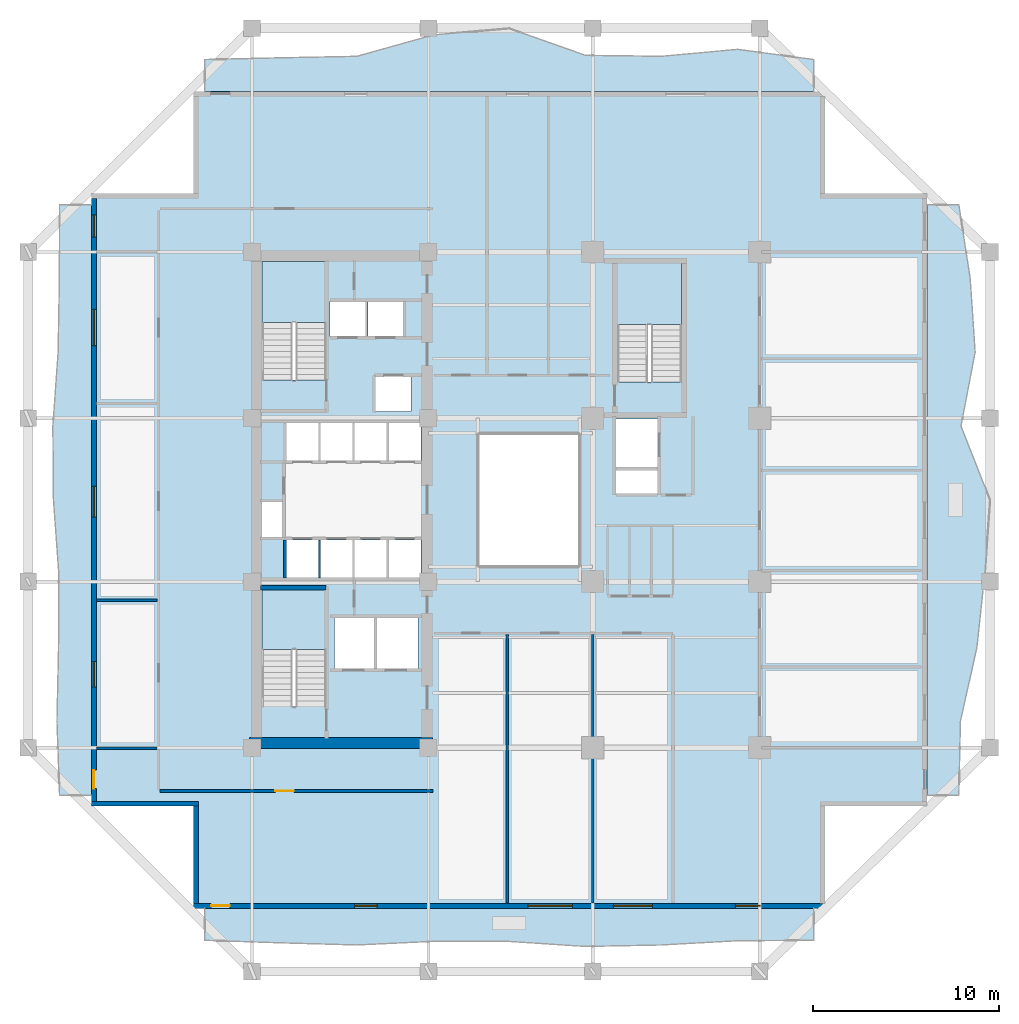
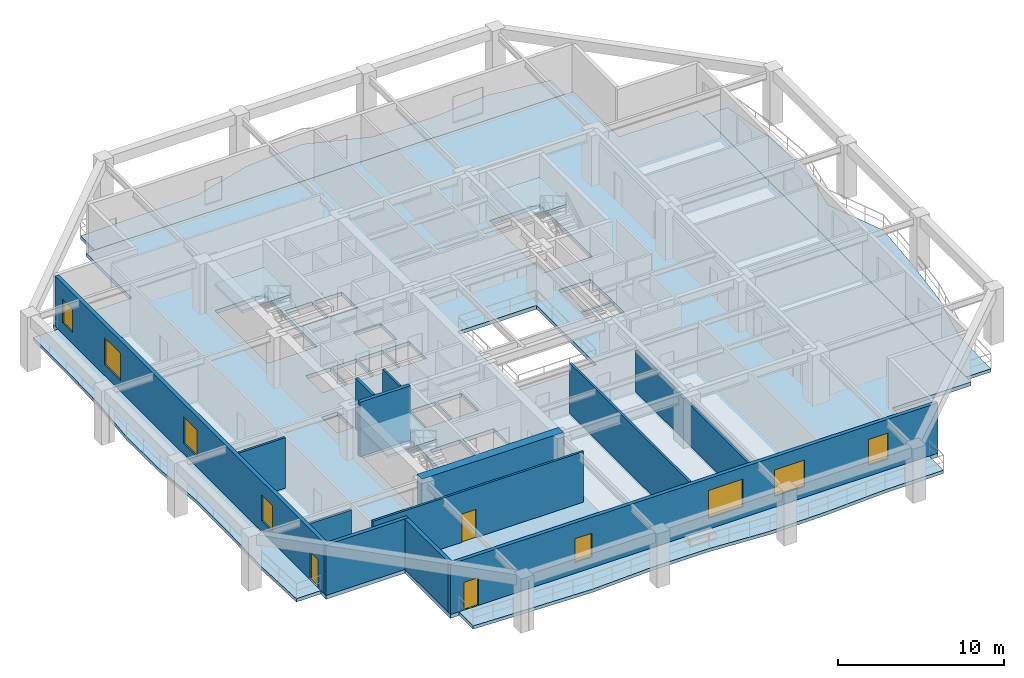
# One storey, part 2 of 13: 13 walls, 8 slabs, 8 windows, 3 doors, 11 openings, 3 elements without a shape of their own.
"""IFC4 building model written with IfcOpenShell, lengths in metres."""

import ifcopenshell
import ifcopenshell.guid

model = None  # the IFC model being written
_history = None  # IfcOwnerHistory: only IFC2X3 demands one
_inside = {}  # id of a spatial element -> (the spatial element, [elements in it])
_under = {}  # id of a project, library or spatial element -> (it, [spatial elements below it])
_declared = {}  # id of a project -> (the project, [libraries it declares])
_typed = {}  # id of a type object -> (the type object, [elements of that type])
_made_of = {}  # id of a material, layer set ... -> (it, [elements and type objects made of it])


def new_model(schema):
    """Start an empty IFC model of exactly this schema.

    Asked for "IFC4X3", IfcOpenShell would pick the latest addendum, in which some entities
    have other attributes; the version numbers below select the first issue.
    IFC2X3 requires an IfcOwnerHistory on every rooted entity: one is made here for all.
    """
    global model, _history
    if schema == "IFC4X3":
        model = ifcopenshell.file(schema_version=(4, 3, 0, 0))
    else:
        model = ifcopenshell.file(schema=schema)
    _inside.clear()
    _under.clear()
    _declared.clear()
    _typed.clear()
    _made_of.clear()
    _history = None
    if model.schema == "IFC2X3":
        org = make("IfcOrganization", Name="unknown")
        user = make(
            "IfcPersonAndOrganization",
            ThePerson=make("IfcPerson", FamilyName="unknown"),
            TheOrganization=org,
        )
        app = make(
            "IfcApplication",
            ApplicationDeveloper=org,
            Version="unknown",
            ApplicationFullName="unknown",
            ApplicationIdentifier="unknown",
        )
        _history = make(
            "IfcOwnerHistory",
            OwningUser=user,
            OwningApplication=app,
            ChangeAction="ADDED",
            CreationDate=0,
        )
    return model


def make(cls, **values):
    """One entity of the class cls with the attributes given. An attribute that is None is left unset."""
    return model.create_entity(
        cls, **{name: value for name, value in values.items() if value is not None}
    )


def rooted(cls, **values):
    """An entity with a GlobalId (a new one), such as an element, a storey or a relation."""
    return make(cls, GlobalId=ifcopenshell.guid.new(), OwnerHistory=_history, **values)


def si_unit(unit_type, name, prefix=None):
    """IfcSIUnit, for example si_unit("LENGTHUNIT", "METRE", prefix="MILLI")."""
    return make("IfcSIUnit", UnitType=unit_type, Prefix=prefix, Name=name)


def assignment(units):
    """IfcUnitAssignment: the units of a project."""
    return None if units is None else make("IfcUnitAssignment", Units=units)


def point(xyz):
    """IfcCartesianPoint."""
    return None if xyz is None else make("IfcCartesianPoint", Coordinates=xyz)


def direction(xyz):
    """IfcDirection."""
    return None if xyz is None else make("IfcDirection", DirectionRatios=xyz)


def frame(location, z_axis=None, x_axis=None):
    """IfcAxis2Placement3D, a coordinate frame: its origin and axes. An axis left out is left unset."""
    return make(
        "IfcAxis2Placement3D",
        Location=point(location),
        Axis=direction(z_axis),
        RefDirection=direction(x_axis),
    )


def frame_2d(location, x_axis=None):
    """IfcAxis2Placement2D, a coordinate frame in the plane: its origin and x axis."""
    return make(
        "IfcAxis2Placement2D", Location=point(location), RefDirection=direction(x_axis)
    )


def origin():
    """The frame at (0, 0, 0) with its axes left unset."""
    return frame((0.0, 0.0, 0.0))


def place(relative_to, where):
    """IfcLocalPlacement: puts the frame where relative to a parent placement (None: the world)."""
    return make(
        "IfcLocalPlacement", PlacementRelTo=relative_to, RelativePlacement=where
    )


def context(
    kind, dimensions, precision=None, world=None, true_north=None, identifier=None
):
    """IfcGeometricRepresentationContext, for example the 3D "Model" context."""
    return make(
        "IfcGeometricRepresentationContext",
        ContextIdentifier=identifier,
        ContextType=kind,
        CoordinateSpaceDimension=dimensions,
        Precision=precision,
        WorldCoordinateSystem=world,
        TrueNorth=true_north,
    )


def subcontext(parent, identifier, kind, view, scale=None):
    """IfcGeometricRepresentationSubContext, for example "Body" below "Model"."""
    return make(
        "IfcGeometricRepresentationSubContext",
        ContextIdentifier=identifier,
        ContextType=kind,
        ParentContext=parent,
        TargetScale=scale,
        TargetView=view,
    )


def project(units=None, contexts=None):
    """IfcProject with its units and contexts."""
    return rooted(
        "IfcProject",
        Name="project",
        RepresentationContexts=contexts,
        UnitsInContext=assignment(units),
    )


def spatial(cls, under=None, at=None, **own):
    """A site, building, storey or space (cls), placed at a placement, below another one or the project."""
    s = rooted(cls, ObjectPlacement=at, **own)
    if under is not None:
        _under.setdefault(under.id(), (under, []))[1].append(s)
    return s


def polyline(points):
    """IfcPolyline through the points."""
    return make("IfcPolyline", Points=[point(p) for p in points])


def profile(cls, at=None, kind="AREA", **sizes):
    """A parametric profile (cls). Its sizes go by their IFC names, for example OverallWidth=200.0."""
    return make(cls, ProfileType=kind, Position=at, **sizes)


def rectangle(**sizes):
    """IfcRectangleProfileDef."""
    return profile("IfcRectangleProfileDef", **sizes)


def outline(outer, holes=None, kind="AREA"):
    """IfcArbitraryClosedProfileDef: a profile drawn as a closed curve; with holes, ...WithVoids."""
    if holes is None:
        return make("IfcArbitraryClosedProfileDef", ProfileType=kind, OuterCurve=outer)
    return make(
        "IfcArbitraryProfileDefWithVoids",
        ProfileType=kind,
        OuterCurve=outer,
        InnerCurves=holes,
    )


def extrude(swept, where, along, depth):
    """IfcExtrudedAreaSolid: the profile swept, set in the frame where, extruded along a direction by depth."""
    return make(
        "IfcExtrudedAreaSolid",
        SweptArea=swept,
        Position=where,
        ExtrudedDirection=direction(along),
        Depth=depth,
    )


def shape(context_of_items, identifier, shape_type, items):
    """IfcShapeRepresentation: the items that make up one representation, for example the "Body"."""
    return make(
        "IfcShapeRepresentation",
        ContextOfItems=context_of_items,
        RepresentationIdentifier=identifier,
        RepresentationType=shape_type,
        Items=items,
    )


def material(Name=None, Category=None):
    """IfcMaterial."""
    return make("IfcMaterial", Name=Name, Category=Category)


def layer(
    of_material, thickness, ventilated=None, Name=None, Category=None, Priority=None
):
    """IfcMaterialLayer: one layer of a wall or slab, of a material (None: an air gap)."""
    return make(
        "IfcMaterialLayer",
        Material=of_material,
        LayerThickness=thickness,
        IsVentilated=ventilated,
        Name=Name,
        Category=Category,
        Priority=Priority,
    )


def layer_set(layers, Name=None):
    """IfcMaterialLayerSet."""
    return make("IfcMaterialLayerSet", MaterialLayers=layers, LayerSetName=Name)


def made_of(thing, what):
    """Note that an element or type object is made of a material, layer set ...; save() writes the relation."""
    if what is not None:
        _made_of.setdefault(what.id(), (what, []))[1].append(thing)
    return thing


def type_object(cls, material=None, **own):
    """A type object (cls), such as IfcWallType, which elements share."""
    return made_of(rooted(cls, **own), material)


def element(
    cls,
    number,
    at=None,
    inside=None,
    cuts=None,
    type_object=None,
    material=None,
    context=None,
    identifier="Body",
    shape_type=None,
    held_by="IfcProductDefinitionShape",
    body=None,
    shapes=None,
    **own,
):
    """One element of the class cls, such as IfcWall. Its Tag is "e" and its number.

    at: its placement. inside: the storey or other place that contains it. cuts: it is an
    opening in that element (IfcRelVoidsElement). A single representation is given by context,
    identifier, shape_type and body (its items); several are given by shapes. held_by: the class
    of the entity that holds the representations. save() writes the other relations.
    """
    e = rooted(cls, Tag="e%d" % number, ObjectPlacement=at, **own)
    if body is not None:
        shapes = [shape(context, identifier, shape_type, body)]
    if shapes is not None:
        e.Representation = make(held_by, Representations=shapes)
    if inside is not None:
        _inside.setdefault(inside.id(), (inside, []))[1].append(e)
    if cuts is not None:
        rooted(
            "IfcRelVoidsElement", RelatingBuildingElement=cuts, RelatedOpeningElement=e
        )
    if type_object is not None:
        _typed.setdefault(type_object.id(), (type_object, []))[1].append(e)
    return made_of(e, material)


def fill(opening, filler):
    """IfcRelFillsElement: the door or window that sits in an opening."""
    return rooted(
        "IfcRelFillsElement",
        RelatingOpeningElement=opening,
        RelatedBuildingElement=filler,
    )


def aggregate(whole, parts):
    """IfcRelAggregates: a whole, such as a stair, and the parts it consists of."""
    return rooted("IfcRelAggregates", RelatingObject=whole, RelatedObjects=parts)


def save(model, path):
    """Write the relations noted so far, then the file.

    IfcRelAggregates (storeys below a building ...), IfcRelContainedInSpatialStructure (elements
    in a storey), IfcRelDefinesByType, IfcRelAssociatesMaterial and IfcRelDeclares: one each for
    every whole, place, type object, material and project.
    """
    for whole, parts in _under.values():
        aggregate(whole, parts)
    for where, things in _inside.values():
        rooted(
            "IfcRelContainedInSpatialStructure",
            RelatedElements=things,
            RelatingStructure=where,
        )
    for kind, things in _typed.values():
        rooted("IfcRelDefinesByType", RelatedObjects=things, RelatingType=kind)
    for what, things in _made_of.values():
        rooted("IfcRelAssociatesMaterial", RelatedObjects=things, RelatingMaterial=what)
    for by, libraries in _declared.values():
        rooted("IfcRelDeclares", RelatingContext=by, RelatedDefinitions=libraries)
    model.write(path)


model = new_model("IFC4")

# Units and contexts
model_context = context("Model", 3, precision=1e-05, world=origin(), true_north=direction((0.0, 1.0)))
body_context = subcontext(model_context, "Body", "Model", "MODEL_VIEW")
ifc_project = project(units=[si_unit("LENGTHUNIT", "METRE"), si_unit("AREAUNIT", "SQUARE_METRE"), si_unit("VOLUMEUNIT", "CUBIC_METRE"), si_unit("PLANEANGLEUNIT", "RADIAN"), si_unit("MASSUNIT", "GRAM", prefix="KILO")], contexts=[model_context])

# Site, building, storey
site_placement = place(None, origin())
site = spatial("IfcSite", under=ifc_project, at=site_placement, CompositionType="ELEMENT")
building_placement = place(site_placement, origin())
building = spatial("IfcBuilding", under=site, at=building_placement, Name="Kundavana Baori Tower", CompositionType="ELEMENT")
storey_placement = place(building_placement, frame((0.0, 0.0, 50.0)))
storey = spatial("IfcBuildingStorey", under=building, at=storey_placement, Name="L11", CompositionType="ELEMENT", Elevation=50.0)

# Slab
ifc_material_1 = material(Name="Concrete C40/50", Category="concrete")
ifc_layer_1 = layer(ifc_material_1, 0.280029296875, Name="SLB-FLR-280")
ifc_layer_set_1 = layer_set([ifc_layer_1], Name="Concrete C40/50")
slab_type_1 = type_object("IfcSlabType", Name="SLB-FLR-280", PredefinedType="FLOOR", material=ifc_layer_set_1)
slab_1_placement = place(storey_placement, frame((0.0, 0.0, -0.280029296875)))
element("IfcSlab", 1, at=slab_1_placement, inside=storey, type_object=slab_type_1, Name="L11 Structural Floor Slab", PredefinedType="FLOOR", context=body_context, shape_type="SweptSolid", body=[
    extrude(outline(polyline([(12.300048828125, 6.60009765625), (46.300048828125, 6.60009765625), (46.300048828125, 12.10009765625), (51.800048828125, 12.10009765625), (51.800048828125, 45.10009765625), (46.300048828125, 45.10009765625), (46.300048828125, 50.60009765625), (12.300048828125, 50.60009765625), (12.300048828125, 45.10009765625), (6.800048828125, 45.10009765625), (6.800048828125, 12.10009765625), (12.300048828125, 12.10009765625), (12.300048828125, 6.60009765625)]), holes=[polyline([(19.43994140625, 17.4619140625), (19.43994140625, 23.85009765625), (15.97998046875, 23.85009765625), (15.97998046875, 17.4619140625), (19.43994140625, 17.4619140625)]), polyline([(19.43994140625, 35.06201171875), (19.43994140625, 41.449951171875), (15.97998046875, 41.449951171875), (15.97998046875, 35.06201171875), (19.43994140625, 35.06201171875)]), polyline([(38.580078125, 34.9619140625), (38.580078125, 41.35009765625), (35.1201171875, 41.35009765625), (35.1201171875, 34.9619140625), (38.580078125, 34.9619140625)]), polyline([(17.300048828125, 24.39990234375), (19.02001953125, 24.39990234375), (19.02001953125, 26.449951171875), (17.300048828125, 26.449951171875), (17.300048828125, 24.39990234375)]), polyline([(19.139892578125, 24.39990234375), (20.860107421875, 24.39990234375), (20.860107421875, 26.449951171875), (19.139892578125, 26.449951171875), (19.139892578125, 24.39990234375)]), polyline([(20.97998046875, 24.39990234375), (22.699951171875, 24.39990234375), (22.699951171875, 26.449951171875), (20.97998046875, 26.449951171875), (20.97998046875, 24.39990234375)]), polyline([(22.820068359375, 24.39990234375), (24.5400390625, 24.39990234375), (24.5400390625, 26.449951171875), (22.820068359375, 26.449951171875), (22.820068359375, 24.39990234375)]), polyline([(17.300048828125, 30.699951171875), (19.02001953125, 30.699951171875), (19.02001953125, 32.75), (17.300048828125, 32.75), (17.300048828125, 30.699951171875)]), polyline([(19.139892578125, 30.699951171875), (20.860107421875, 30.699951171875), (20.860107421875, 32.75), (19.139892578125, 32.75), (19.139892578125, 30.699951171875)]), polyline([(20.97998046875, 30.699951171875), (22.699951171875, 30.699951171875), (22.699951171875, 32.75), (20.97998046875, 32.75), (20.97998046875, 30.699951171875)]), polyline([(22.820068359375, 30.699951171875), (24.5400390625, 30.699951171875), (24.5400390625, 32.75), (22.820068359375, 32.75), (22.820068359375, 30.699951171875)]), polyline([(19.64990234375, 37.39990234375), (21.550048828125, 37.39990234375), (21.550048828125, 39.300048828125), (19.64990234375, 39.300048828125), (19.64990234375, 37.39990234375)]), polyline([(21.699951171875, 37.39990234375), (23.60009765625, 37.39990234375), (23.60009765625, 39.300048828125), (21.699951171875, 39.300048828125), (21.699951171875, 37.39990234375)]), polyline([(22.10009765625, 33.35009765625), (24.0, 33.35009765625), (24.0, 35.25), (22.10009765625, 35.25), (22.10009765625, 33.35009765625)]), polyline([(19.8798828125, 19.5), (22.02001953125, 19.5), (22.02001953125, 22.25), (19.8798828125, 22.25), (19.8798828125, 19.5)]), polyline([(22.179931640625, 19.5), (24.3798828125, 19.5), (24.3798828125, 22.25), (22.179931640625, 22.25), (22.179931640625, 19.5)]), polyline([(35.050048828125, 30.35009765625), (37.300048828125, 30.35009765625), (37.300048828125, 32.949951171875), (35.050048828125, 32.949951171875), (35.050048828125, 30.35009765625)]), polyline([(15.949951171875, 26.60009765625), (17.080078125, 26.60009765625), (17.080078125, 28.5), (15.949951171875, 28.5), (15.949951171875, 26.60009765625)]), polyline([(35.050048828125, 28.949951171875), (37.300048828125, 28.949951171875), (37.300048828125, 30.199951171875), (35.050048828125, 30.199951171875), (35.050048828125, 28.949951171875)]), polyline([(27.60009765625, 25.0), (33.10009765625, 25.0), (33.10009765625, 32.199951171875), (27.60009765625, 32.199951171875), (27.60009765625, 25.0)])]), origin(), (0.0, 0.0, 1.0), 0.280029296875),
])

# Stair, slab
ifc_material_2 = material(Name="Concrete C40/50", Category="concrete")
stair_type = type_object("IfcStairType", Name="STR-DOG-1650", PredefinedType="HALF_TURN_STAIR", material=ifc_material_2)
stair_1_placement = place(storey_placement, origin())
stair_1 = element("IfcStair", 2, at=stair_1_placement, inside=storey, type_object=stair_type, Name="L11 Protected Exit Stair ST1", PredefinedType="HALF_TURN_STAIR")
ifc_material_3 = material(Name="Concrete C40/50", Category="concrete")
ifc_layer_2 = layer(ifc_material_3, 0.199951171875, Name="SLB-LND-200")
ifc_layer_set_2 = layer_set([ifc_layer_2], Name="Concrete C40/50")
slab_type_2 = type_object("IfcSlabType", Name="SLB-LND-200", PredefinedType="LANDING", material=ifc_layer_set_2)
slab_2_placement = place(storey_placement, frame((0.0, 0.0, 1.800048828125)))
slab_2 = element("IfcSlab", 3, at=slab_2_placement, type_object=slab_type_2, Name="ST1 landing 1", PredefinedType="LANDING", context=body_context, shape_type="SweptSolid", body=[
    extrude(outline(polyline([(19.43994140625, 20.550048828125), (19.43994140625, 23.85009765625), (15.97998046875, 23.85009765625), (15.97998046875, 20.550048828125), (19.43994140625, 20.550048828125)])), origin(), (0.0, 0.0, 1.0), 0.199951171875),
])
aggregate(stair_1, [slab_2])

stair_2_placement = place(storey_placement, origin())
stair_2 = element("IfcStair", 4, at=stair_2_placement, inside=storey, type_object=stair_type, Name="L11 Protected Exit Stair ST2", PredefinedType="HALF_TURN_STAIR")
slab_3_placement = place(storey_placement, frame((0.0, 0.0, 1.800048828125)))
slab_3 = element("IfcSlab", 5, at=slab_3_placement, type_object=slab_type_2, Name="ST2 landing 1", PredefinedType="LANDING", context=body_context, shape_type="SweptSolid", body=[
    extrude(outline(polyline([(19.43994140625, 38.14990234375), (19.43994140625, 41.449951171875), (15.97998046875, 41.449951171875), (15.97998046875, 38.14990234375), (19.43994140625, 38.14990234375)])), origin(), (0.0, 0.0, 1.0), 0.199951171875),
])
aggregate(stair_2, [slab_3])

stair_3_placement = place(storey_placement, origin())
stair_3 = element("IfcStair", 6, at=stair_3_placement, inside=storey, type_object=stair_type, Name="L11 Protected Exit Stair ST3", PredefinedType="HALF_TURN_STAIR")
slab_4_placement = place(storey_placement, frame((0.0, 0.0, 1.800048828125)))
slab_4 = element("IfcSlab", 7, at=slab_4_placement, type_object=slab_type_2, Name="ST3 landing 1", PredefinedType="LANDING", context=body_context, shape_type="SweptSolid", body=[
    extrude(outline(polyline([(38.580078125, 38.050048828125), (38.580078125, 41.35009765625), (35.1201171875, 41.35009765625), (35.1201171875, 38.050048828125), (38.580078125, 38.050048828125)])), origin(), (0.0, 0.0, 1.0), 0.199951171875),
])
aggregate(stair_3, [slab_4])

# Slabs
ifc_material_4 = material(Name="Concrete C40/50", Category="concrete")
ifc_layer_3 = layer(ifc_material_4, 0.239990234375, Name="SLB-LOG-240")
ifc_layer_set_3 = layer_set([ifc_layer_3], Name="Concrete C40/50")
slab_type_3 = type_object("IfcSlabType", Name="SLB-LOG-240", PredefinedType="FLOOR", material=ifc_layer_set_3)
slab_5_placement = place(storey_placement, frame((0.0, 0.0, -0.239990234375)))
element("IfcSlab", 8, at=slab_5_placement, inside=storey, type_object=slab_type_3, Name="L11 Planted Loggia Balcony Slab S", PredefinedType="FLOOR", context=body_context, shape_type="SweptSolid", body=[
    extrude(outline(polyline([(12.89990234375, 6.60009765625), (45.699951171875, 6.60009765625), (45.699951171875, 4.8798828125), (41.60009765625, 4.85595703125), (37.5, 4.626953125), (33.39990234375, 4.549072265625), (29.300048828125, 4.818115234375), (25.199951171875, 4.822998046875), (21.10009765625, 4.626953125), (17.0, 4.742919921875), (12.89990234375, 4.8798828125), (12.89990234375, 6.60009765625)])), origin(), (0.0, 0.0, 1.0), 0.239990234375),
])
slab_6_placement = place(storey_placement, frame((0.0, 0.0, -0.239990234375)))
element("IfcSlab", 9, at=slab_6_placement, inside=storey, type_object=slab_type_3, Name="L11 Planted Loggia Balcony Slab E", PredefinedType="FLOOR", context=body_context, shape_type="SweptSolid", body=[
    extrude(outline(polyline([(51.800048828125, 12.699951171875), (51.800048828125, 44.5), (53.52001953125, 44.5), (54.131103515625, 40.52490234375), (54.39794921875, 36.550048828125), (53.633056640625, 32.574951171875), (55.199951171875, 28.60009765625), (54.91796875, 24.625), (54.491943359375, 20.64990234375), (53.60400390625, 16.675048828125), (53.52001953125, 12.699951171875), (51.800048828125, 12.699951171875)])), origin(), (0.0, 0.0, 1.0), 0.239990234375),
])
slab_7_placement = place(storey_placement, frame((0.0, 0.0, -0.239990234375)))
element("IfcSlab", 10, at=slab_7_placement, inside=storey, type_object=slab_type_3, Name="L11 Planted Loggia Balcony Slab N", PredefinedType="FLOOR", context=body_context, shape_type="SweptSolid", body=[
    extrude(outline(polyline([(45.699951171875, 50.60009765625), (12.89990234375, 50.60009765625), (12.89990234375, 52.320068359375), (17.0, 52.4140625), (21.10009765625, 52.493896484375), (25.199951171875, 53.64501953125), (29.300048828125, 54.0), (33.39990234375, 52.547119140625), (37.5, 52.493896484375), (41.60009765625, 52.868896484375), (45.699951171875, 52.320068359375), (45.699951171875, 50.60009765625)])), origin(), (0.0, 0.0, 1.0), 0.239990234375),
])
slab_8_placement = place(storey_placement, frame((0.0, 0.0, -0.239990234375)))
element("IfcSlab", 11, at=slab_8_placement, inside=storey, type_object=slab_type_3, Name="L11 Planted Loggia Balcony Slab W", PredefinedType="FLOOR", context=body_context, shape_type="SweptSolid", body=[
    extrude(outline(polyline([(6.800048828125, 44.5), (6.800048828125, 12.699951171875), (5.080078125, 12.699951171875), (4.93994140625, 16.675048828125), (5.02587890625, 20.64990234375), (5.041015625, 24.625), (4.751953125, 28.60009765625), (4.719970703125, 32.574951171875), (5.001953125, 36.550048828125), (5.072021484375, 40.52490234375), (5.080078125, 44.5), (6.800048828125, 44.5)])), origin(), (0.0, 0.0, 1.0), 0.239990234375),
])

# Walls
ifc_material_5 = material(Name="Concrete C50/60", Category="concrete")
ifc_layer_4 = layer(ifc_material_5, 0.39990234375, Name="WL-CORE-400")
ifc_layer_set_4 = layer_set([ifc_layer_4], Name="Concrete C50/60")
wall_type_1 = type_object("IfcWallType", Name="WL-CORE-400", PredefinedType="SHEAR", material=ifc_layer_set_4)
wall_1_placement = place(storey_placement, frame((15.89990234375, 23.860107421875, 0.0), z_axis=(0.0, 0.0, 1.0), x_axis=(1.0, 0.0, 0.0)))
element("IfcWall", 12, at=wall_1_placement, inside=storey, type_object=wall_type_1, Name="WL-L11-ST1-N", PredefinedType="SHEAR", context=body_context, shape_type="SweptSolid", body=[
    extrude(rectangle(XDim=3.52001953125, YDim=0.239990234375, at=frame_2d((1.760009765625, 0.0))), origin(), (0.0, 0.0, 1.0), 4.0),
])
ifc_material_6 = material(Name="Concrete C60/75", Category="concrete")
ifc_layer_5 = layer(ifc_material_6, 0.60009765625, Name="WL-CORE-600")
ifc_layer_set_5 = layer_set([ifc_layer_5], Name="Concrete C60/75")
wall_type_2 = type_object("IfcWallType", Name="WL-CORE-600", PredefinedType="SHEAR", material=ifc_layer_set_5)
wall_2_placement = place(storey_placement, frame((15.300048828125, 15.510009765625, 0.0), z_axis=(0.0, 0.0, 1.0), x_axis=(1.0, 0.0, 0.0)))
element("IfcWall", 13, at=wall_2_placement, inside=storey, type_object=wall_type_2, Name="L11 Offset Core South Shear Wall", PredefinedType="SHEAR", context=body_context, shape_type="SweptSolid", body=[
    extrude(rectangle(XDim=9.8798828125, YDim=0.60009765625, at=frame_2d((4.93994140625, 0.0))), origin(), (0.0, 0.0, 1.0), 3.719970703125),
])

# Wall, openings, door, windows
ifc_material_7 = material(Name="Kiln-Fired Terracotta Brick-Slip Masonry on Concrete C40/50", Category="masonry")
ifc_layer_6 = layer(ifc_material_7, 0.260009765625, Name="WL-EXT-BRK-260")
ifc_layer_set_6 = layer_set([ifc_layer_6], Name="Kiln-Fired Terracotta Brick-Slip Masonry on Concrete C40/50")
wall_type_3 = type_object("IfcWallType", Name="WL-EXT-BRK-260", PredefinedType="SOLIDWALL", material=ifc_layer_set_6)
wall_3_placement = place(storey_placement, frame((12.300048828125, 6.72998046875, 0.0), z_axis=(0.0, 0.0, 1.0), x_axis=(1.0, 0.0, 0.0)))
wall_3 = element("IfcWall", 14, at=wall_3_placement, inside=storey, type_object=wall_type_3, Name="L11 Exterior Insulated Facade Wall 01", PredefinedType="SOLIDWALL", context=body_context, shape_type="SweptSolid", body=[
    extrude(rectangle(XDim=34.0, YDim=0.260009765625, at=frame_2d((17.0, 0.0))), origin(), (0.0, 0.0, 1.0), 3.719970703125),
])
opening_1_placement = place(wall_3_placement, frame((0.949951171875, 0.0, 0.0)))
opening_1 = element("IfcOpeningElement", 15, at=opening_1_placement, cuts=wall_3, Name="Opening BD-1", PredefinedType="OPENING", context=body_context, shape_type="SweptSolid", body=[
    extrude(rectangle(XDim=1.0, YDim=2.050048828125, at=frame_2d((0.5, 1.02490234375))), frame((0.0, 0.14013671875, 0.0), z_axis=(0.0, -1.0, 0.0), x_axis=(1.0, 0.0, 0.0)), (0.0, 0.0, 1.0), 0.280029296875),
])
opening_2_placement = place(wall_3_placement, frame((8.679931640625, 0.0, 0.800048828125)))
opening_2 = element("IfcOpeningElement", 16, at=opening_2_placement, cuts=wall_3, Name="Opening W-03", PredefinedType="OPENING", context=body_context, shape_type="SweptSolid", body=[
    extrude(rectangle(XDim=1.199951171875, YDim=1.75, at=frame_2d((0.60009765625, 0.875))), frame((0.0, 0.14013671875, 0.0), z_axis=(0.0, -1.0, 0.0), x_axis=(1.0, 0.0, 0.0)), (0.0, 0.0, 1.0), 0.280029296875),
])
opening_3_placement = place(wall_3_placement, frame((18.0, 0.0, 0.800048828125)))
opening_3 = element("IfcOpeningElement", 17, at=opening_3_placement, cuts=wall_3, Name="Opening W-04", PredefinedType="OPENING", context=body_context, shape_type="SweptSolid", body=[
    extrude(rectangle(XDim=2.39990234375, YDim=2.050048828125, at=frame_2d((1.199951171875, 1.02490234375))), frame((0.0, 0.14013671875, 0.0), z_axis=(0.0, -1.0, 0.0), x_axis=(1.0, 0.0, 0.0)), (0.0, 0.0, 1.0), 0.280029296875),
])
opening_4_placement = place(wall_3_placement, frame((22.610107421875, 0.0, 0.800048828125)))
opening_4 = element("IfcOpeningElement", 18, at=opening_4_placement, cuts=wall_3, Name="Opening W-05", PredefinedType="OPENING", context=body_context, shape_type="SweptSolid", body=[
    extrude(rectangle(XDim=2.10009765625, YDim=1.949951171875, at=frame_2d((1.050048828125, 0.97509765625))), frame((0.0, 0.14013671875, 0.0), z_axis=(0.0, -1.0, 0.0), x_axis=(1.0, 0.0, 0.0)), (0.0, 0.0, 1.0), 0.280029296875),
])
opening_5_placement = place(wall_3_placement, frame((29.179931640625, 0.0, 0.800048828125)))
opening_5 = element("IfcOpeningElement", 19, at=opening_5_placement, cuts=wall_3, Name="Opening W-07", PredefinedType="OPENING", context=body_context, shape_type="SweptSolid", body=[
    extrude(rectangle(XDim=1.35009765625, YDim=1.89990234375, at=frame_2d((0.675048828125, 0.949951171875))), frame((0.0, 0.14013671875, 0.0), z_axis=(0.0, -1.0, 0.0), x_axis=(1.0, 0.0, 0.0)), (0.0, 0.0, 1.0), 0.280029296875),
])
ifc_material_8 = material(Name="Architectural Patinated Bronze Metalwork")
door_type_1 = type_object("IfcDoorType", Name="DR-EXT-LOG-1000", OperationType="NOTDEFINED", PredefinedType="DOOR", material=ifc_material_8)
door_1_placement = place(opening_1_placement, frame((1.0, 0.0, 0.0), z_axis=(0.0, 0.0, 1.0), x_axis=(-1.0, 0.0, 0.0)))
door_1 = element("IfcDoor", 20, at=door_1_placement, inside=storey, type_object=door_type_1, Name="L11 Loggia Balcony Access Door S", OperationType="SINGLE_SWING_LEFT", OverallHeight=2.050048828125, OverallWidth=1.0, PredefinedType="DOOR", context=body_context, shape_type="SweptSolid", body=[
    extrude(rectangle(XDim=1.0, YDim=2.050048828125, at=frame_2d((0.5, 1.02490234375))), frame((0.0, 0.02490234375, 0.0), z_axis=(0.0, -1.0, 0.0), x_axis=(1.0, 0.0, 0.0)), (0.0, 0.0, 1.0), 0.050048828125),
])
fill(opening_1, door_1)
ifc_material_9 = material(Name="Double-Glazed Solar-Control Low-E Insulated Glass", Category="glass")
window_type_1 = type_object("IfcWindowType", Name="WIN-LOG-1200x1750", PartitioningType="SINGLE_PANEL", PredefinedType="WINDOW", material=ifc_material_9)
window_1_placement = place(opening_2_placement, origin())
window_1 = element("IfcWindow", 21, at=window_1_placement, inside=storey, type_object=window_type_1, Name="L11 Recessed Loggia Window S-1", OverallHeight=1.75, OverallWidth=1.199951171875, PartitioningType="SINGLE_PANEL", PredefinedType="WINDOW", context=body_context, shape_type="SweptSolid", body=[
    extrude(rectangle(XDim=1.199951171875, YDim=1.75, at=frame_2d((0.60009765625, 0.875))), frame((0.0, 0.030029296875, 0.0), z_axis=(0.0, -1.0, 0.0), x_axis=(1.0, 0.0, 0.0)), (0.0, 0.0, 1.0), 0.06005859375),
])
fill(opening_2, window_1)
ifc_material_10 = material(Name="Double-Glazed Solar-Control Low-E Insulated Glass", Category="glass")
window_type_2 = type_object("IfcWindowType", Name="WIN-LOG-1350x1900", PartitioningType="SINGLE_PANEL", PredefinedType="WINDOW", material=ifc_material_10)
window_2_placement = place(opening_5_placement, origin())
window_2 = element("IfcWindow", 22, at=window_2_placement, inside=storey, type_object=window_type_2, Name="L11 Recessed Loggia Window S-4", OverallHeight=1.89990234375, OverallWidth=1.35009765625, PartitioningType="SINGLE_PANEL", PredefinedType="WINDOW", context=body_context, shape_type="SweptSolid", body=[
    extrude(rectangle(XDim=1.35009765625, YDim=1.89990234375, at=frame_2d((0.675048828125, 0.949951171875))), frame((0.0, 0.030029296875, 0.0), z_axis=(0.0, -1.0, 0.0), x_axis=(1.0, 0.0, 0.0)), (0.0, 0.0, 1.0), 0.06005859375),
])
fill(opening_5, window_2)
ifc_material_11 = material(Name="Double-Glazed Solar-Control Low-E Insulated Glass", Category="glass")
window_type_3 = type_object("IfcWindowType", Name="WIN-LOG-2100x1950", PartitioningType="SINGLE_PANEL", PredefinedType="WINDOW", material=ifc_material_11)
window_3_placement = place(opening_4_placement, origin())
window_3 = element("IfcWindow", 23, at=window_3_placement, inside=storey, type_object=window_type_3, Name="L11 Recessed Loggia Window S-3", OverallHeight=1.949951171875, OverallWidth=2.10009765625, PartitioningType="SINGLE_PANEL", PredefinedType="WINDOW", context=body_context, shape_type="SweptSolid", body=[
    extrude(rectangle(XDim=2.10009765625, YDim=1.949951171875, at=frame_2d((1.050048828125, 0.97509765625))), frame((0.0, 0.030029296875, 0.0), z_axis=(0.0, -1.0, 0.0), x_axis=(1.0, 0.0, 0.0)), (0.0, 0.0, 1.0), 0.06005859375),
])
fill(opening_4, window_3)
ifc_material_12 = material(Name="Double-Glazed Solar-Control Low-E Insulated Glass", Category="glass")
window_type_4 = type_object("IfcWindowType", Name="WIN-LOG-2400x2050", PartitioningType="SINGLE_PANEL", PredefinedType="WINDOW", material=ifc_material_12)
window_4_placement = place(opening_3_placement, origin())
window_4 = element("IfcWindow", 24, at=window_4_placement, inside=storey, type_object=window_type_4, Name="L11 Recessed Loggia Window S-2", OverallHeight=2.050048828125, OverallWidth=2.39990234375, PartitioningType="SINGLE_PANEL", PredefinedType="WINDOW", context=body_context, shape_type="SweptSolid", body=[
    extrude(rectangle(XDim=2.39990234375, YDim=2.050048828125, at=frame_2d((1.199951171875, 1.02490234375))), frame((0.0, 0.030029296875, 0.0), z_axis=(0.0, -1.0, 0.0), x_axis=(1.0, 0.0, 0.0)), (0.0, 0.0, 1.0), 0.06005859375),
])
fill(opening_3, window_4)

wall_4_placement = place(storey_placement, frame((6.929931640625, 44.840087890625, 0.0), z_axis=(0.0, 0.0, 1.0), x_axis=(0.0, -1.0, 0.0)))
wall_4 = element("IfcWall", 25, at=wall_4_placement, inside=storey, type_object=wall_type_3, Name="L11 Exterior Insulated Facade Wall 10", PredefinedType="SOLIDWALL", context=body_context, shape_type="SweptSolid", body=[
    extrude(rectangle(XDim=32.47998046875, YDim=0.260009765625, at=frame_2d((16.239990234375, 0.0))), origin(), (0.0, 0.0, 1.0), 3.719970703125),
])
opening_6_placement = place(wall_4_placement, frame((30.7900390625, 0.0, 0.0)))
opening_6 = element("IfcOpeningElement", 26, at=opening_6_placement, cuts=wall_4, Name="Opening BD-1", PredefinedType="OPENING", context=body_context, shape_type="SweptSolid", body=[
    extrude(rectangle(XDim=1.0, YDim=2.050048828125, at=frame_2d((0.5, 1.02490234375))), frame((0.0, 0.14013671875, 0.0), z_axis=(0.0, -1.0, 0.0), x_axis=(1.0, 0.0, 0.0)), (0.0, 0.0, 1.0), 0.280029296875),
])
opening_7_placement = place(wall_4_placement, frame((24.955078125, 0.0, 0.800048828125)))
opening_7 = element("IfcOpeningElement", 27, at=opening_7_placement, cuts=wall_4, Name="Opening W-07", PredefinedType="OPENING", context=body_context, shape_type="SweptSolid", body=[
    extrude(rectangle(XDim=1.35009765625, YDim=1.89990234375, at=frame_2d((0.675048828125, 0.949951171875))), frame((0.0, 0.14013671875, 0.0), z_axis=(0.0, -1.0, 0.0), x_axis=(1.0, 0.0, 0.0)), (0.0, 0.0, 1.0), 0.280029296875),
])
opening_8_placement = place(wall_4_placement, frame((15.514892578125, 0.0, 0.800048828125)))
opening_8 = element("IfcOpeningElement", 28, at=opening_8_placement, cuts=wall_4, Name="Opening W-08", PredefinedType="OPENING", context=body_context, shape_type="SweptSolid", body=[
    extrude(rectangle(XDim=1.64990234375, YDim=1.949951171875, at=frame_2d((0.824951171875, 0.97509765625))), frame((0.0, 0.14013671875, 0.0), z_axis=(0.0, -1.0, 0.0), x_axis=(1.0, 0.0, 0.0)), (0.0, 0.0, 1.0), 0.280029296875),
])
opening_9_placement = place(wall_4_placement, frame((5.97509765625, 0.0, 0.800048828125)))
opening_9 = element("IfcOpeningElement", 29, at=opening_9_placement, cuts=wall_4, Name="Opening W-09", PredefinedType="OPENING", context=body_context, shape_type="SweptSolid", body=[
    extrude(rectangle(XDim=1.949951171875, YDim=2.0, at=frame_2d((0.97509765625, 1.0))), frame((0.0, 0.14013671875, 0.0), z_axis=(0.0, -1.0, 0.0), x_axis=(1.0, 0.0, 0.0)), (0.0, 0.0, 1.0), 0.280029296875),
])
opening_10_placement = place(wall_4_placement, frame((0.885009765625, 0.0, 0.800048828125)))
opening_10 = element("IfcOpeningElement", 30, at=opening_10_placement, cuts=wall_4, Name="Opening W-03", PredefinedType="OPENING", context=body_context, shape_type="SweptSolid", body=[
    extrude(rectangle(XDim=1.199951171875, YDim=1.75, at=frame_2d((0.60009765625, 0.875))), frame((0.0, 0.14013671875, 0.0), z_axis=(0.0, -1.0, 0.0), x_axis=(1.0, 0.0, 0.0)), (0.0, 0.0, 1.0), 0.280029296875),
])
door_2_placement = place(opening_6_placement, frame((1.0, 0.0, 0.0), z_axis=(0.0, 0.0, 1.0), x_axis=(-1.0, 0.0, 0.0)))
door_2 = element("IfcDoor", 31, at=door_2_placement, inside=storey, type_object=door_type_1, Name="L11 Loggia Balcony Access Door W", OperationType="SINGLE_SWING_RIGHT", OverallHeight=2.050048828125, OverallWidth=1.0, PredefinedType="DOOR", context=body_context, shape_type="SweptSolid", body=[
    extrude(rectangle(XDim=1.0, YDim=2.050048828125, at=frame_2d((0.5, 1.02490234375))), frame((0.0, 0.02490234375, 0.0), z_axis=(0.0, -1.0, 0.0), x_axis=(1.0, 0.0, 0.0)), (0.0, 0.0, 1.0), 0.050048828125),
])
fill(opening_6, door_2)
window_5_placement = place(opening_10_placement, origin())
window_5 = element("IfcWindow", 32, at=window_5_placement, inside=storey, type_object=window_type_1, Name="L11 Recessed Loggia Window W-5", OverallHeight=1.75, OverallWidth=1.199951171875, PartitioningType="SINGLE_PANEL", PredefinedType="WINDOW", context=body_context, shape_type="SweptSolid", body=[
    extrude(rectangle(XDim=1.199951171875, YDim=1.75, at=frame_2d((0.60009765625, 0.875))), frame((0.0, 0.030029296875, 0.0), z_axis=(0.0, -1.0, 0.0), x_axis=(1.0, 0.0, 0.0)), (0.0, 0.0, 1.0), 0.06005859375),
])
fill(opening_10, window_5)
window_6_placement = place(opening_7_placement, origin())
window_6 = element("IfcWindow", 33, at=window_6_placement, inside=storey, type_object=window_type_2, Name="L11 Recessed Loggia Window W-2", OverallHeight=1.89990234375, OverallWidth=1.35009765625, PartitioningType="SINGLE_PANEL", PredefinedType="WINDOW", context=body_context, shape_type="SweptSolid", body=[
    extrude(rectangle(XDim=1.35009765625, YDim=1.89990234375, at=frame_2d((0.675048828125, 0.949951171875))), frame((0.0, 0.030029296875, 0.0), z_axis=(0.0, -1.0, 0.0), x_axis=(1.0, 0.0, 0.0)), (0.0, 0.0, 1.0), 0.06005859375),
])
fill(opening_7, window_6)
ifc_material_13 = material(Name="Double-Glazed Solar-Control Low-E Insulated Glass", Category="glass")
window_type_5 = type_object("IfcWindowType", Name="WIN-LOG-1650x1950", PartitioningType="SINGLE_PANEL", PredefinedType="WINDOW", material=ifc_material_13)
window_7_placement = place(opening_8_placement, origin())
window_7 = element("IfcWindow", 34, at=window_7_placement, inside=storey, type_object=window_type_5, Name="L11 Recessed Loggia Window W-3", OverallHeight=1.949951171875, OverallWidth=1.64990234375, PartitioningType="SINGLE_PANEL", PredefinedType="WINDOW", context=body_context, shape_type="SweptSolid", body=[
    extrude(rectangle(XDim=1.64990234375, YDim=1.949951171875, at=frame_2d((0.824951171875, 0.97509765625))), frame((0.0, 0.030029296875, 0.0), z_axis=(0.0, -1.0, 0.0), x_axis=(1.0, 0.0, 0.0)), (0.0, 0.0, 1.0), 0.06005859375),
])
fill(opening_8, window_7)
ifc_material_14 = material(Name="Double-Glazed Solar-Control Low-E Insulated Glass", Category="glass")
window_type_6 = type_object("IfcWindowType", Name="WIN-LOG-1950x2000", PartitioningType="SINGLE_PANEL", PredefinedType="WINDOW", material=ifc_material_14)
window_8_placement = place(opening_9_placement, origin())
window_8 = element("IfcWindow", 35, at=window_8_placement, inside=storey, type_object=window_type_6, Name="L11 Recessed Loggia Window W-4", OverallHeight=2.0, OverallWidth=1.949951171875, PartitioningType="SINGLE_PANEL", PredefinedType="WINDOW", context=body_context, shape_type="SweptSolid", body=[
    extrude(rectangle(XDim=1.949951171875, YDim=2.0, at=frame_2d((0.97509765625, 1.0))), frame((0.0, 0.030029296875, 0.0), z_axis=(0.0, -1.0, 0.0), x_axis=(1.0, 0.0, 0.0)), (0.0, 0.0, 1.0), 0.06005859375),
])
fill(opening_9, window_8)

# Walls
wall_5_placement = place(storey_placement, frame((6.800048828125, 12.22998046875, 0.0), z_axis=(0.0, 0.0, 1.0), x_axis=(1.0, 0.0, 0.0)))
element("IfcWall", 36, at=wall_5_placement, inside=storey, type_object=wall_type_3, Name="L11 Exterior Insulated Facade Wall 11", PredefinedType="SOLIDWALL", context=body_context, shape_type="SweptSolid", body=[
    extrude(rectangle(XDim=5.760009765625, YDim=0.260009765625, at=frame_2d((2.8798828125, 0.0))), origin(), (0.0, 0.0, 1.0), 3.719970703125),
])
wall_6_placement = place(storey_placement, frame((12.429931640625, 12.10009765625, 0.0), z_axis=(0.0, 0.0, 1.0), x_axis=(0.0, -1.0, 0.0)))
element("IfcWall", 37, at=wall_6_placement, inside=storey, type_object=wall_type_3, Name="L11 Exterior Insulated Facade Wall 12", PredefinedType="SOLIDWALL", context=body_context, shape_type="SweptSolid", body=[
    extrude(rectangle(XDim=5.239990234375, YDim=0.260009765625, at=frame_2d((2.6201171875, 0.0))), origin(), (0.0, 0.0, 1.0), 3.719970703125),
])
ifc_material_15 = material(Name="Acoustic Gypsum Plasterboard on Galvanised Steel Studs", Category="steel")
ifc_layer_7 = layer(ifc_material_15, 0.1201171875, Name="WL-PART-120")
ifc_layer_set_7 = layer_set([ifc_layer_7], Name="Acoustic Gypsum Plasterboard on Galvanised Steel Studs")
wall_type_4 = type_object("IfcWallType", Name="WL-PART-120", PredefinedType="PARTITIONING", material=ifc_layer_set_7)
wall_7_placement = place(storey_placement, frame((19.080078125, 24.39990234375, 0.0), z_axis=(0.0, 0.0, 1.0), x_axis=(0.0, 1.0, 0.0)))
element("IfcWall", 38, at=wall_7_placement, inside=storey, type_object=wall_type_4, Name="WL-L11-LPLOW-D1", PredefinedType="PARTITIONING", context=body_context, shape_type="SweptSolid", body=[
    extrude(rectangle(XDim=2.050048828125, YDim=0.1201171875, at=frame_2d((1.02490234375, 0.0))), origin(), (0.0, 0.0, 1.0), 3.719970703125),
])
ifc_material_16 = material(Name="Fire-Rated Gypsum Drywall on Galvanised Steel Studs", Category="steel")
ifc_layer_8 = layer(ifc_material_16, 0.14990234375, Name="WL-PART-150")
ifc_layer_set_8 = layer_set([ifc_layer_8], Name="Fire-Rated Gypsum Drywall on Galvanised Steel Studs")
wall_type_5 = type_object("IfcWallType", Name="WL-PART-150", PredefinedType="PARTITIONING", material=ifc_layer_set_8)
wall_8_placement = place(storey_placement, frame((7.080078125, 15.219970703125, 0.0), z_axis=(0.0, 0.0, 1.0), x_axis=(1.0, 0.0, 0.0)))
element("IfcWall", 39, at=wall_8_placement, inside=storey, type_object=wall_type_5, Name="WL-L11-OWS", PredefinedType="PARTITIONING", context=body_context, shape_type="SweptSolid", body=[
    extrude(rectangle(XDim=3.260009765625, YDim=0.14990234375, at=frame_2d((1.6298828125, 0.0))), origin(), (0.0, 0.0, 1.0), 3.219970703125),
])

# Wall, opening, door
wall_9_placement = place(storey_placement, frame((10.5, 12.919921875, 0.0), z_axis=(0.0, 0.0, 1.0), x_axis=(1.0, 0.0, 0.0)))
wall_9 = element("IfcWall", 40, at=wall_9_placement, inside=storey, type_object=wall_type_5, Name="WL-L11-OSC", PredefinedType="PARTITIONING", context=body_context, shape_type="SweptSolid", body=[
    extrude(rectangle(XDim=14.699951171875, YDim=0.14990234375, at=frame_2d((7.35009765625, 0.0))), origin(), (0.0, 0.0, 1.0), 3.719970703125),
])
opening_11_placement = place(wall_9_placement, frame((6.199951171875, 0.0, 0.0)))
opening_11 = element("IfcOpeningElement", 41, at=opening_11_placement, cuts=wall_9, Name="Opening ID-100", PredefinedType="OPENING", context=body_context, shape_type="SweptSolid", body=[
    extrude(rectangle(XDim=1.0, YDim=2.080078125, at=frame_2d((0.5, 1.0400390625))), frame((0.0, 0.0849609375, 0.0), z_axis=(0.0, -1.0, 0.0), x_axis=(1.0, 0.0, 0.0)), (0.0, 0.0, 1.0), 0.169921875),
])
ifc_material_17 = material(Name="Engineered Teak Solid-Core Timber Veneer", Category="wood")
door_type_2 = type_object("IfcDoorType", Name="DR-INT-1000", OperationType="NOTDEFINED", PredefinedType="DOOR", material=ifc_material_17)
door_3_placement = place(opening_11_placement, frame((1.0, 0.0, 0.0), z_axis=(0.0, 0.0, 1.0), x_axis=(-1.0, 0.0, 0.0)))
door_3 = element("IfcDoor", 42, at=door_3_placement, inside=storey, type_object=door_type_2, Name="DR-L11-OSWC", OperationType="SINGLE_SWING_LEFT", OverallHeight=2.080078125, OverallWidth=1.0, PredefinedType="DOOR", context=body_context, shape_type="SweptSolid", body=[
    extrude(rectangle(XDim=1.0, YDim=2.080078125, at=frame_2d((0.5, 1.0400390625))), frame((0.0, 0.02490234375, 0.0), z_axis=(0.0, -1.0, 0.0), x_axis=(1.0, 0.0, 0.0)), (0.0, 0.0, 1.0), 0.050048828125),
])
fill(opening_11, door_3)

# Walls
wall_10_placement = place(storey_placement, frame((7.080078125, 23.199951171875, 0.0), z_axis=(0.0, 0.0, 1.0), x_axis=(1.0, 0.0, 0.0)))
element("IfcWall", 43, at=wall_10_placement, inside=storey, type_object=wall_type_5, Name="WL-L11-WD1", PredefinedType="PARTITIONING", context=body_context, shape_type="SweptSolid", body=[
    extrude(rectangle(XDim=3.260009765625, YDim=0.14990234375, at=frame_2d((1.6298828125, 0.0))), origin(), (0.0, 0.0, 1.0), 3.719970703125),
])
wall_11_placement = place(storey_placement, frame((29.199951171875, 6.8798828125, 0.0), z_axis=(0.0, 0.0, 1.0), x_axis=(0.0, 1.0, 0.0)))
element("IfcWall", 44, at=wall_11_placement, inside=storey, type_object=wall_type_5, Name="WL-L11-SD1", PredefinedType="PARTITIONING", context=body_context, shape_type="SweptSolid", body=[
    extrude(rectangle(XDim=14.460205078125, YDim=0.14990234375, at=frame_2d((7.22998046875, 0.0))), origin(), (0.0, 0.0, 1.0), 3.719970703125),
])
wall_12_placement = place(storey_placement, frame((33.800048828125, 6.8798828125, 0.0), z_axis=(0.0, 0.0, 1.0), x_axis=(0.0, 1.0, 0.0)))
element("IfcWall", 45, at=wall_12_placement, inside=storey, type_object=wall_type_5, Name="WL-L11-SD2", PredefinedType="PARTITIONING", context=body_context, shape_type="SweptSolid", body=[
    extrude(rectangle(XDim=14.460205078125, YDim=0.14990234375, at=frame_2d((7.22998046875, 0.0))), origin(), (0.0, 0.0, 1.0), 3.02001953125),
])
ifc_material_18 = material(Name="Autoclaved Aerated Concrete Blockwork Masonry", Category="masonry")
ifc_layer_9 = layer(ifc_material_18, 0.179931640625, Name="WL-SHAFT-180")
ifc_layer_set_9 = layer_set([ifc_layer_9], Name="Autoclaved Aerated Concrete Blockwork Masonry")
wall_type_6 = type_object("IfcWallType", Name="WL-SHAFT-180", PredefinedType="SOLIDWALL", material=ifc_layer_set_9)
wall_13_placement = place(storey_placement, frame((17.219970703125, 24.39990234375, 0.0), z_axis=(0.0, 0.0, 1.0), x_axis=(0.0, 1.0, 0.0)))
element("IfcWall", 46, at=wall_13_placement, inside=storey, type_object=wall_type_6, Name="WL-L11-LPLOW-W", PredefinedType="SOLIDWALL", context=body_context, shape_type="SweptSolid", body=[
    extrude(rectangle(XDim=2.050048828125, YDim=0.179931640625, at=frame_2d((1.02490234375, 0.0))), origin(), (0.0, 0.0, 1.0), 3.719970703125),
])

save(model, "model.ifc")
